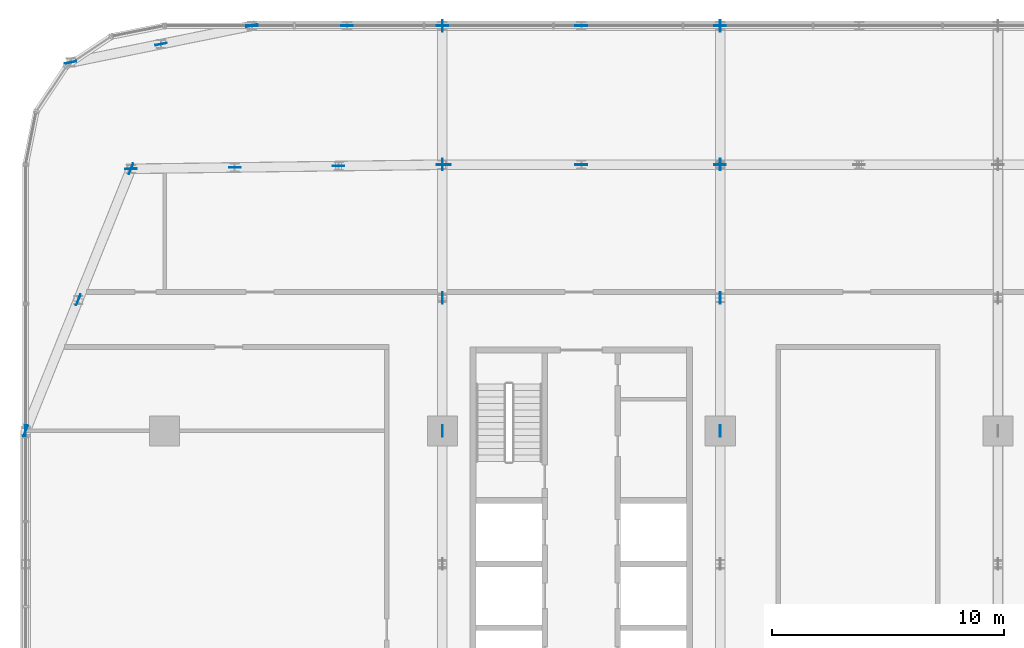
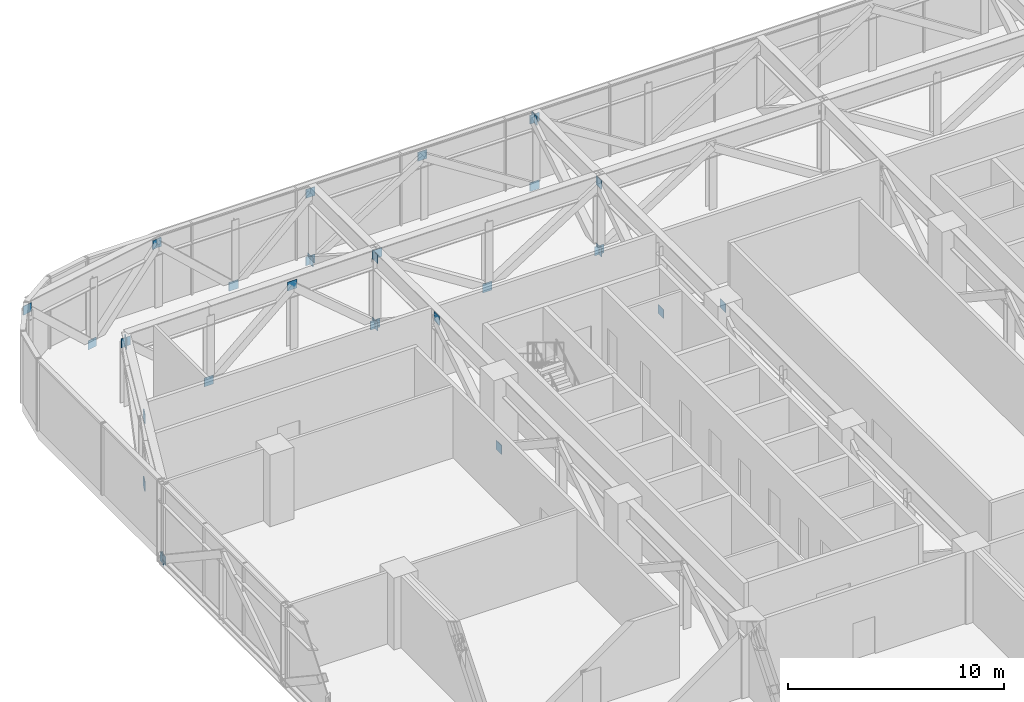
# One storey, part 24 of 30: 32 discrete accessories.
"""IFC4 building model written with IfcOpenShell, lengths in metres."""

from ifc_helpers import new_model, si_unit, direction, frame, origin, origin_2d, place, context, subcontext, project, spatial, rectangle, extrude, material, layer, layer_set, type_object, element, save


model = new_model("IFC4")

# Units and contexts
model_context = context("Model", 3, precision=1e-05, world=origin(), true_north=direction((0.0, 1.0)))
body_context = subcontext(model_context, "Body", "Model", "MODEL_VIEW")
ifc_project = project(units=[si_unit("LENGTHUNIT", "METRE"), si_unit("AREAUNIT", "SQUARE_METRE"), si_unit("VOLUMEUNIT", "CUBIC_METRE"), si_unit("PLANEANGLEUNIT", "RADIAN"), si_unit("MASSUNIT", "GRAM", prefix="KILO")], contexts=[model_context])

# Site, building, storey
site_placement = place(None, origin())
site = spatial("IfcSite", under=ifc_project, at=site_placement, CompositionType="ELEMENT")
building_placement = place(site_placement, origin())
building = spatial("IfcBuilding", under=site, at=building_placement, Name="Mahtab Terrace Research Tower", CompositionType="ELEMENT")
storey_placement = place(building_placement, frame((0.0, 0.0, 154.800048828125)))
storey = spatial("IfcBuildingStorey", under=building, at=storey_placement, Name="L36", CompositionType="ELEMENT", Elevation=154.800048828125)

# Discrete accessories
ifc_material = material(Name="Steel ASTM A992 Gr 50", Category="steel")
ifc_layer = layer(ifc_material, 0.030029296875)
ifc_layer_set = layer_set([ifc_layer], Name="Gusset plate 500x500x30")
discrete_accessory_type = type_object("IfcDiscreteAccessoryType", Name="Gusset plate 500x500x30", PredefinedType="USERDEFINED", material=ifc_layer_set)
for number, where, z_axis, x_axis, name in (
    (1, (-38.23095703125, 29.0, 3.251220703125), (0.0, 0.0, 1.0), (1.0, 0.0, 0.0), "Gusset plate"),
    (2, (-34.114990234375, 29.0, -0.567626953125), (0.0, 0.0, 1.0), (1.0, 0.0, 0.0), "Gusset plate"),
    (3, (-29.8984375, 23.0, 3.39306640625), (0.0, 0.0, 1.0), (1.0, 0.0, 0.0), "Gusset plate"),
    (4, (-30.0, 29.0, -0.567626953125), (0.0, 0.0, 1.0), (1.0, 0.0, 0.0), "Gusset plate"),
    (5, (-30.0, 29.0, 3.251220703125), (0.0, 0.0, 1.0), (1.0, 0.0, 0.0), "Gusset plate"),
    (6, (-24.0, 23.0, -0.567626953125), (0.0, 0.0, 1.0), (1.0, 0.0, 0.0), "Gusset plate"),
    (7, (-24.0, 29.0, 3.251220703125), (0.0, 0.0, 1.0), (1.0, 0.0, 0.0), "Gusset plate"),
    (8, (-18.0, 23.0, -0.567626953125), (0.0, 0.0, 1.0), (1.0, 0.0, 0.0), "Gusset plate"),
    (9, (-18.0, 29.0, -0.567626953125), (0.0, 0.0, 1.0), (1.0, 0.0, 0.0), "Gusset plate"),
    (10, (-18.0, 29.0, 3.251220703125), (0.0, 0.0, 1.0), (1.0, 0.0, 0.0), "Gusset plate"),
    (11, (-43.447998046875, 22.822021484375, 3.251220703125), (0.0, 0.0, 1.0), (0.999913411311, 0.013159402728, 0.0), "Gusset plate"),
    (12, (-38.965087890625, 22.881103515625, -0.567626953125), (0.0, 0.0, 1.0), (0.999913411311, 0.013159402728, 0.0), "Gusset plate"),
    (13, (-34.48291015625, 22.94091796875, 3.251220703125), (0.0, 0.0, 1.0), (0.999910399799, 0.013386275544, 0.0), "Gusset plate"),
    (14, (-30.0, 23.0, -0.567626953125), (0.0, 0.0, 1.0), (0.999913411311, 0.013159402728, 0.0), "Gusset plate"),
    (15, (-46.06201171875, 27.416015625, 3.251220703125), (0.0, 0.0, 1.0), (0.980143328693, 0.198290330625, 0.0), "Gusset plate"),
    (16, (-42.14697265625, 28.2080078125, -0.567626953125), (0.0, 0.0, 1.0), (0.980143328693, 0.198290330625, 0.0), "Gusset plate"),
    (17, (-38.23095703125, 29.0, 3.251220703125), (0.0, 0.0, 1.0), (0.980153709806, 0.198239010169, 0.0), "Gusset plate"),
    (18, (-48.0, 11.5, -0.567626953125), (0.0, 0.0, 1.0), (0.373036363457, 0.927816723032, 0.0), "Gusset plate"),
    (19, (-45.72412109375, 17.160888671875, -0.567626953125), (0.0, 0.0, 1.0), (0.373036363457, 0.927816723032, 0.0), "Gusset plate"),
    (20, (-45.72412109375, 17.160888671875, 3.251220703125), (0.0, 0.0, 1.0), (0.373036363457, 0.927816723032, 0.0), "Gusset plate"),
    (21, (-43.447998046875, 22.822021484375, 3.251220703125), (0.0, 0.0, 1.0), (0.373036363457, 0.927816723032, 0.0), "Gusset plate"),
    (22, (-48.0, 11.5, -0.567626953125), (0.0, 0.0, 1.0), (0.0, 1.0, 0.0), "Gusset plate"),
    (23, (-30.0, 11.5, -0.567626953125), (0.0, 0.0, 1.0), (0.0, 1.0, 0.0), "Gusset plate"),
    (24, (-30.0, 17.25, 3.251220703125), (0.0, 0.0, 1.0), (0.0, 1.0, 0.0), "Gusset plate"),
    (25, (-30.0, 23.0, -0.567626953125), (0.0, 0.0, 1.0), (0.0, 1.0, 0.0), "Gusset plate"),
    (26, (-30.0, 23.0, 3.251220703125), (0.0, 0.0, 1.0), (0.0, 1.0, 0.0), "Gusset plate"),
    (27, (-30.0, 29.0, -0.567626953125), (0.0, 0.0, 1.0), (0.0, 1.0, 0.0), "Gusset plate"),
    (28, (-18.0, 11.5, 3.251220703125), (0.0, 0.0, 1.0), (0.0, 1.0, 0.0), "Gusset plate"),
    (29, (-18.0, 17.25, -0.567626953125), (0.0, 0.0, 1.0), (0.0, 1.0, 0.0), "Gusset plate"),
    (30, (-18.0, 23.0, -0.567626953125), (0.0, 0.0, 1.0), (0.0, 1.0, 0.0), "Gusset plate"),
    (31, (-18.0, 23.0, 3.251220703125), (0.0, 0.0, 1.0), (0.0, 1.0, 0.0), "Gusset plate"),
    (32, (-18.0, 29.0, 3.251220703125), (0.0, 0.0, 1.0), (0.0, 1.0, 0.0), "Gusset plate"),
):
    element("IfcDiscreteAccessory", number, at=place(storey_placement, frame(where, z_axis=z_axis, x_axis=x_axis)), inside=storey, type_object=discrete_accessory_type, Name=name, ObjectType="GUSSET PLATE", PredefinedType="USERDEFINED", context=body_context, shape_type="SweptSolid", body=[
        extrude(rectangle(XDim=0.5, YDim=0.030029296875, at=origin_2d()), origin(), (0.0, 0.0, 1.0), 0.5),
    ])

save(model, "model.ifc")
